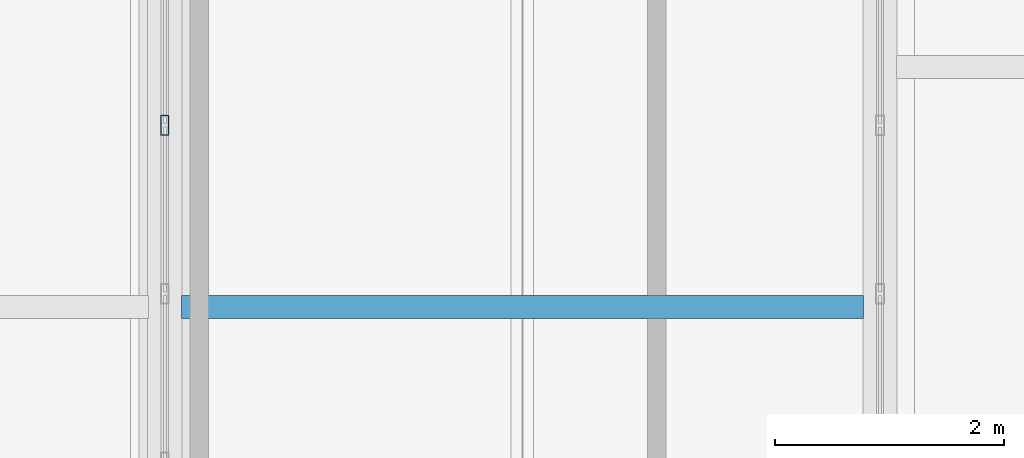
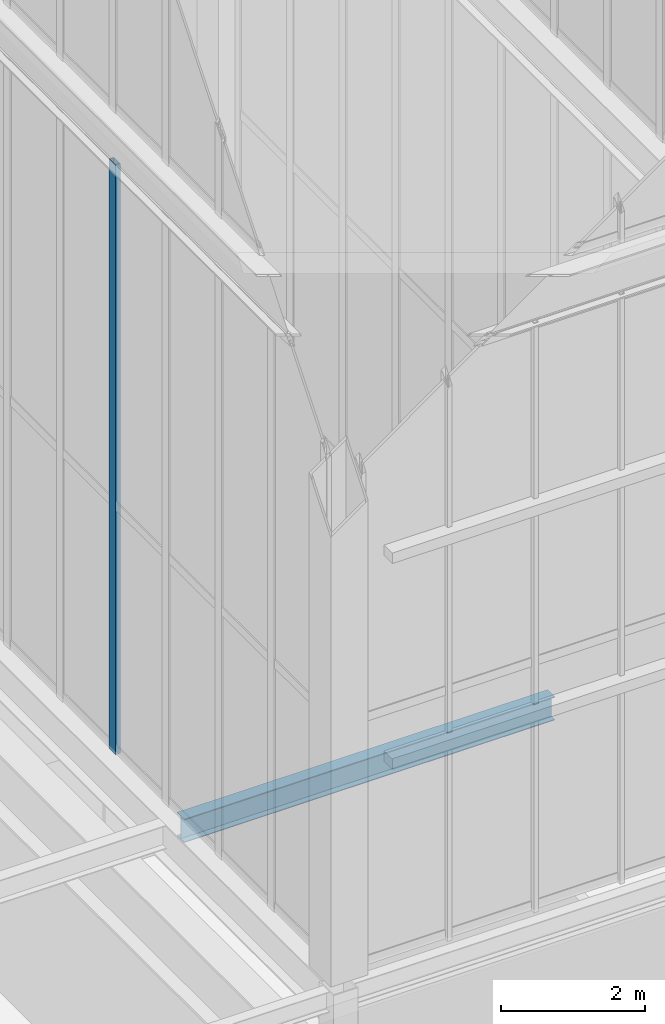
# One storey, part 53 of 135: 1 beam, 1 member, 1 element without a shape of its own.
"""IFC4 building model written with IfcOpenShell, lengths in metres."""

import ifcopenshell
import ifcopenshell.guid

model = None  # the IFC model being written
_history = None  # IfcOwnerHistory: only IFC2X3 demands one
_inside = {}  # id of a spatial element -> (the spatial element, [elements in it])
_under = {}  # id of a project, library or spatial element -> (it, [spatial elements below it])
_declared = {}  # id of a project -> (the project, [libraries it declares])
_typed = {}  # id of a type object -> (the type object, [elements of that type])
_made_of = {}  # id of a material, layer set ... -> (it, [elements and type objects made of it])


def new_model(schema):
    """Start an empty IFC model of exactly this schema.

    Asked for "IFC4X3", IfcOpenShell would pick the latest addendum, in which some entities
    have other attributes; the version numbers below select the first issue.
    IFC2X3 requires an IfcOwnerHistory on every rooted entity: one is made here for all.
    """
    global model, _history
    if schema == "IFC4X3":
        model = ifcopenshell.file(schema_version=(4, 3, 0, 0))
    else:
        model = ifcopenshell.file(schema=schema)
    _inside.clear()
    _under.clear()
    _declared.clear()
    _typed.clear()
    _made_of.clear()
    _history = None
    if model.schema == "IFC2X3":
        org = make("IfcOrganization", Name="unknown")
        user = make(
            "IfcPersonAndOrganization",
            ThePerson=make("IfcPerson", FamilyName="unknown"),
            TheOrganization=org,
        )
        app = make(
            "IfcApplication",
            ApplicationDeveloper=org,
            Version="unknown",
            ApplicationFullName="unknown",
            ApplicationIdentifier="unknown",
        )
        _history = make(
            "IfcOwnerHistory",
            OwningUser=user,
            OwningApplication=app,
            ChangeAction="ADDED",
            CreationDate=0,
        )
    return model


def make(cls, **values):
    """One entity of the class cls with the attributes given. An attribute that is None is left unset."""
    return model.create_entity(
        cls, **{name: value for name, value in values.items() if value is not None}
    )


def rooted(cls, **values):
    """An entity with a GlobalId (a new one), such as an element, a storey or a relation."""
    return make(cls, GlobalId=ifcopenshell.guid.new(), OwnerHistory=_history, **values)


def si_unit(unit_type, name, prefix=None):
    """IfcSIUnit, for example si_unit("LENGTHUNIT", "METRE", prefix="MILLI")."""
    return make("IfcSIUnit", UnitType=unit_type, Prefix=prefix, Name=name)


def assignment(units):
    """IfcUnitAssignment: the units of a project."""
    return None if units is None else make("IfcUnitAssignment", Units=units)


def point(xyz):
    """IfcCartesianPoint."""
    return None if xyz is None else make("IfcCartesianPoint", Coordinates=xyz)


def direction(xyz):
    """IfcDirection."""
    return None if xyz is None else make("IfcDirection", DirectionRatios=xyz)


def frame(location, z_axis=None, x_axis=None):
    """IfcAxis2Placement3D, a coordinate frame: its origin and axes. An axis left out is left unset."""
    return make(
        "IfcAxis2Placement3D",
        Location=point(location),
        Axis=direction(z_axis),
        RefDirection=direction(x_axis),
    )


def frame_2d(location, x_axis=None):
    """IfcAxis2Placement2D, a coordinate frame in the plane: its origin and x axis."""
    return make(
        "IfcAxis2Placement2D", Location=point(location), RefDirection=direction(x_axis)
    )


def origin():
    """The frame at (0, 0, 0) with its axes left unset."""
    return frame((0.0, 0.0, 0.0))


def origin_2d():
    """The frame at (0, 0) in the plane with its x axis left unset."""
    return frame_2d((0.0, 0.0))


def place(relative_to, where):
    """IfcLocalPlacement: puts the frame where relative to a parent placement (None: the world)."""
    return make(
        "IfcLocalPlacement", PlacementRelTo=relative_to, RelativePlacement=where
    )


def context(
    kind, dimensions, precision=None, world=None, true_north=None, identifier=None
):
    """IfcGeometricRepresentationContext, for example the 3D "Model" context."""
    return make(
        "IfcGeometricRepresentationContext",
        ContextIdentifier=identifier,
        ContextType=kind,
        CoordinateSpaceDimension=dimensions,
        Precision=precision,
        WorldCoordinateSystem=world,
        TrueNorth=true_north,
    )


def subcontext(parent, identifier, kind, view, scale=None):
    """IfcGeometricRepresentationSubContext, for example "Body" below "Model"."""
    return make(
        "IfcGeometricRepresentationSubContext",
        ContextIdentifier=identifier,
        ContextType=kind,
        ParentContext=parent,
        TargetScale=scale,
        TargetView=view,
    )


def project(units=None, contexts=None):
    """IfcProject with its units and contexts."""
    return rooted(
        "IfcProject",
        Name="project",
        RepresentationContexts=contexts,
        UnitsInContext=assignment(units),
    )


def spatial(cls, under=None, at=None, **own):
    """A site, building, storey or space (cls), placed at a placement, below another one or the project."""
    s = rooted(cls, ObjectPlacement=at, **own)
    if under is not None:
        _under.setdefault(under.id(), (under, []))[1].append(s)
    return s


def profile(cls, at=None, kind="AREA", **sizes):
    """A parametric profile (cls). Its sizes go by their IFC names, for example OverallWidth=200.0."""
    return make(cls, ProfileType=kind, Position=at, **sizes)


def hollow_rectangle(**sizes):
    """IfcRectangleHollowProfileDef."""
    return profile("IfcRectangleHollowProfileDef", **sizes)


def i_section(**sizes):
    """IfcIShapeProfileDef."""
    return profile("IfcIShapeProfileDef", **sizes)


def extrude(swept, where, along, depth):
    """IfcExtrudedAreaSolid: the profile swept, set in the frame where, extruded along a direction by depth."""
    return make(
        "IfcExtrudedAreaSolid",
        SweptArea=swept,
        Position=where,
        ExtrudedDirection=direction(along),
        Depth=depth,
    )


def shape(context_of_items, identifier, shape_type, items):
    """IfcShapeRepresentation: the items that make up one representation, for example the "Body"."""
    return make(
        "IfcShapeRepresentation",
        ContextOfItems=context_of_items,
        RepresentationIdentifier=identifier,
        RepresentationType=shape_type,
        Items=items,
    )


def source(mapping_origin, context_of_items, identifier, shape_type, items):
    """IfcRepresentationMap: a shape defined once, which mapped items show again and again."""
    return make(
        "IfcRepresentationMap",
        MappingOrigin=mapping_origin,
        MappedRepresentation=shape(context_of_items, identifier, shape_type, items),
    )


def transform(
    local_origin,
    x_axis=None,
    y_axis=None,
    z_axis=None,
    scale=None,
    scale2=None,
    scale3=None,
    uniform=True,
):
    """IfcCartesianTransformationOperator3D, or its non-uniform kind. x_axis, y_axis, z_axis: its Axis1, 2, 3."""
    if uniform:
        return make(
            "IfcCartesianTransformationOperator3D",
            Axis1=direction(x_axis),
            Axis2=direction(y_axis),
            LocalOrigin=point(local_origin),
            Scale=scale,
            Axis3=direction(z_axis),
        )
    return make(
        "IfcCartesianTransformationOperator3DnonUniform",
        Axis1=direction(x_axis),
        Axis2=direction(y_axis),
        LocalOrigin=point(local_origin),
        Scale=scale,
        Axis3=direction(z_axis),
        Scale2=scale2,
        Scale3=scale3,
    )


def mapped(mapping_source, mapping_target):
    """IfcMappedItem: shows the shape of a source again, moved by a transform."""
    return make(
        "IfcMappedItem", MappingSource=mapping_source, MappingTarget=mapping_target
    )


def material(Name=None, Category=None):
    """IfcMaterial."""
    return make("IfcMaterial", Name=Name, Category=Category)


def layer(
    of_material, thickness, ventilated=None, Name=None, Category=None, Priority=None
):
    """IfcMaterialLayer: one layer of a wall or slab, of a material (None: an air gap)."""
    return make(
        "IfcMaterialLayer",
        Material=of_material,
        LayerThickness=thickness,
        IsVentilated=ventilated,
        Name=Name,
        Category=Category,
        Priority=Priority,
    )


def layer_set(layers, Name=None):
    """IfcMaterialLayerSet."""
    return make("IfcMaterialLayerSet", MaterialLayers=layers, LayerSetName=Name)


def material_profile(
    of_material, cross_section, Name=None, Category=None, Priority=None
):
    """IfcMaterialProfile: a cross section and its material."""
    return make(
        "IfcMaterialProfile",
        Name=Name,
        Material=of_material,
        Profile=cross_section,
        Priority=Priority,
        Category=Category,
    )


def profile_set(profiles, Name=None, composite=None):
    """IfcMaterialProfileSet."""
    return make(
        "IfcMaterialProfileSet",
        Name=Name,
        MaterialProfiles=profiles,
        CompositeProfile=composite,
    )


def made_of(thing, what):
    """Note that an element or type object is made of a material, layer set ...; save() writes the relation."""
    if what is not None:
        _made_of.setdefault(what.id(), (what, []))[1].append(thing)
    return thing


def type_object(cls, material=None, **own):
    """A type object (cls), such as IfcWallType, which elements share."""
    return made_of(rooted(cls, **own), material)


def element(
    cls,
    number,
    at=None,
    inside=None,
    cuts=None,
    type_object=None,
    material=None,
    context=None,
    identifier="Body",
    shape_type=None,
    held_by="IfcProductDefinitionShape",
    body=None,
    shapes=None,
    **own,
):
    """One element of the class cls, such as IfcWall. Its Tag is "e" and its number.

    at: its placement. inside: the storey or other place that contains it. cuts: it is an
    opening in that element (IfcRelVoidsElement). A single representation is given by context,
    identifier, shape_type and body (its items); several are given by shapes. held_by: the class
    of the entity that holds the representations. save() writes the other relations.
    """
    e = rooted(cls, Tag="e%d" % number, ObjectPlacement=at, **own)
    if body is not None:
        shapes = [shape(context, identifier, shape_type, body)]
    if shapes is not None:
        e.Representation = make(held_by, Representations=shapes)
    if inside is not None:
        _inside.setdefault(inside.id(), (inside, []))[1].append(e)
    if cuts is not None:
        rooted(
            "IfcRelVoidsElement", RelatingBuildingElement=cuts, RelatedOpeningElement=e
        )
    if type_object is not None:
        _typed.setdefault(type_object.id(), (type_object, []))[1].append(e)
    return made_of(e, material)


def aggregate(whole, parts):
    """IfcRelAggregates: a whole, such as a stair, and the parts it consists of."""
    return rooted("IfcRelAggregates", RelatingObject=whole, RelatedObjects=parts)


def save(model, path):
    """Write the relations noted so far, then the file.

    IfcRelAggregates (storeys below a building ...), IfcRelContainedInSpatialStructure (elements
    in a storey), IfcRelDefinesByType, IfcRelAssociatesMaterial and IfcRelDeclares: one each for
    every whole, place, type object, material and project.
    """
    for whole, parts in _under.values():
        aggregate(whole, parts)
    for where, things in _inside.values():
        rooted(
            "IfcRelContainedInSpatialStructure",
            RelatedElements=things,
            RelatingStructure=where,
        )
    for kind, things in _typed.values():
        rooted("IfcRelDefinesByType", RelatedObjects=things, RelatingType=kind)
    for what, things in _made_of.values():
        rooted("IfcRelAssociatesMaterial", RelatedObjects=things, RelatingMaterial=what)
    for by, libraries in _declared.values():
        rooted("IfcRelDeclares", RelatingContext=by, RelatedDefinitions=libraries)
    model.write(path)


model = new_model("IFC4")

# Units and contexts
model_context = context("Model", 3, precision=1e-05, world=origin(), true_north=direction((0.0, 1.0)))
body_context = subcontext(model_context, "Body", "Model", "MODEL_VIEW")
ifc_project = project(units=[si_unit("LENGTHUNIT", "METRE"), si_unit("AREAUNIT", "SQUARE_METRE"), si_unit("VOLUMEUNIT", "CUBIC_METRE"), si_unit("PLANEANGLEUNIT", "RADIAN"), si_unit("MASSUNIT", "GRAM", prefix="KILO")], contexts=[model_context])

# Site, building, storey
site_placement = place(None, origin())
site = spatial("IfcSite", under=ifc_project, at=site_placement, CompositionType="ELEMENT")
building_placement = place(site_placement, origin())
building = spatial("IfcBuilding", under=site, at=building_placement, Name="Giltprow Tower", CompositionType="ELEMENT")
storey_placement = place(building_placement, frame((0.0, 0.0, 352.699951171875)))
storey = spatial("IfcBuildingStorey", under=building, at=storey_placement, Name="L92", CompositionType="ELEMENT", Elevation=352.699951171875)

# Beam
ifc_material_1 = material(Name="Structural steel Q355B", Category="steel")
ifc_material_profile_1 = material_profile(ifc_material_1, i_section(OverallWidth=0.199951171875, OverallDepth=0.39990234375, WebThickness=0.008056640625, FlangeThickness=0.012939453125, at=origin_2d()), Name="HN 400x200x8x13")
ifc_profile_set_1 = profile_set([ifc_material_profile_1], Name="Structural steel Q355B")
beam_type = type_object("IfcBeamType", Name="BM-JOIST-HN400", PredefinedType="JOIST", material=ifc_profile_set_1)
shared_shape_1 = source(origin(), body_context, "Body", "SweptSolid", [
    extrude(i_section(OverallWidth=0.199951171875, OverallDepth=0.39990234375, WebThickness=0.008056640625, FlangeThickness=0.012939453125, at=origin_2d()), origin(), (0.0, 0.0, 1.0), 5.9599609375),
])
beam_placement = place(storey_placement, frame((44.445068359375, 28.14990234375, 5.9599609375), z_axis=(1.0, 0.0, 0.0), x_axis=(0.0, 1.0, 0.0)))
element("IfcBeam", 1, at=beam_placement, inside=storey, type_object=beam_type, Name="L92 Composite Floor Joist 1-4", PredefinedType="JOIST", context=body_context, shape_type="MappedRepresentation", body=[
    mapped(shared_shape_1, transform((0.0, 0.0, 0.0), x_axis=(1.0, 0.0, 0.0), y_axis=(0.0, 1.0, 0.0), z_axis=(0.0, 0.0, 1.0), scale=1.0)),
])

# Curtain wall, member
ifc_material_2 = material(Name="Anodized bronze", Category="metal")
ifc_layer = layer(ifc_material_2, 0.179931640625, Name="Anodized bronze")
ifc_layer_set = layer_set([ifc_layer], Name="Anodized bronze")
curtain_wall_type = type_object("IfcCurtainWallType", Name="CW-CROWN-LANTERN", PredefinedType="NOTDEFINED", material=ifc_layer_set)
curtain_wall_placement = place(storey_placement, origin())
curtain_wall = element("IfcCurtainWall", 2, at=curtain_wall_placement, inside=storey, type_object=curtain_wall_type, Name="Crown East Lower Lantern Glazing 6", PredefinedType="NOTDEFINED")
ifc_material_profile_2 = material_profile(ifc_material_2, hollow_rectangle(XDim=0.074951171875, YDim=0.179931640625, WallThickness=0.008056640625, at=origin_2d()), Name="RHS 180x75x8")
ifc_profile_set_2 = profile_set([ifc_material_profile_2], Name="Anodized bronze")
member_type = type_object("IfcMemberType", Name="CW-MULLION-180x75", PredefinedType="MULLION", material=ifc_profile_set_2)
shared_shape_2 = source(origin(), body_context, "Body", "SweptSolid", [
    extrude(hollow_rectangle(XDim=0.074951171875, YDim=0.179931640625, WallThickness=0.008056640625, at=origin_2d()), origin(), (0.0, 0.0, 1.0), 10.030029296875),
])
member_placement = place(storey_placement, frame((44.300048828125, 29.739013671875, 6.35009765625), z_axis=(0.0, 0.0, 1.0), x_axis=(1.0, 0.0, 0.0)))
member = element("IfcMember", 3, at=member_placement, type_object=member_type, Name="Crown East Lower Lantern Glazing 6 Mullion 6", PredefinedType="MULLION", context=body_context, shape_type="MappedRepresentation", body=[
    mapped(shared_shape_2, transform((0.0, 0.0, 0.0), x_axis=(1.0, 0.0, 0.0), y_axis=(0.0, 1.0, 0.0), z_axis=(0.0, 0.0, 1.0), scale=1.0)),
])
aggregate(curtain_wall, [member])

save(model, "model.ifc")
